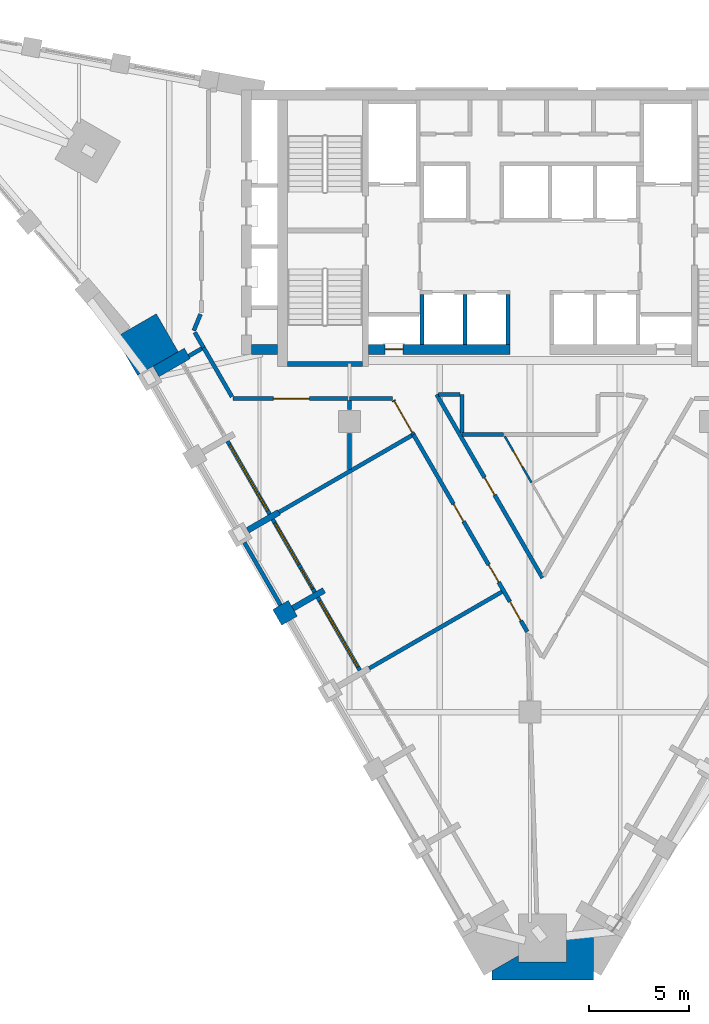
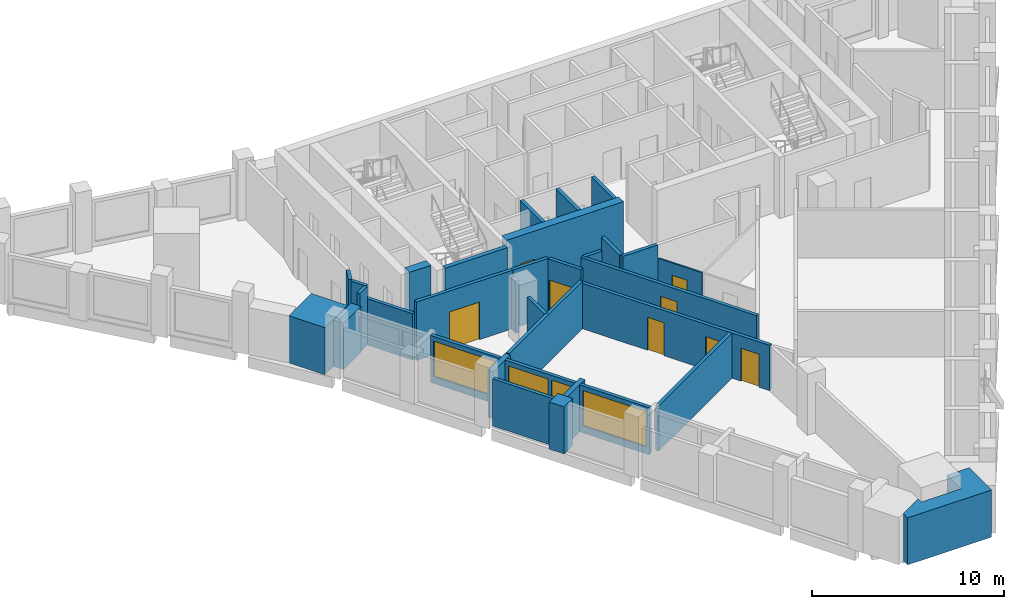
# One storey, part 3 of 9: 33 walls, 9 doors, 3 windows, 12 openings.
"""IFC4 building model written with IfcOpenShell, lengths in metres."""

from ifc_helpers import new_model, si_unit, direction, frame, frame_2d, origin, place, context, subcontext, project, spatial, polyline, rectangle, outline, extrude, material, layer, layer_set, type_object, element, fill, save


model = new_model("IFC4")

# Units and contexts
model_context = context("Model", 3, precision=1e-05, world=origin(), true_north=direction((0.0, 1.0)))
body_context = subcontext(model_context, "Body", "Model", "MODEL_VIEW")
ifc_project = project(units=[si_unit("LENGTHUNIT", "METRE"), si_unit("AREAUNIT", "SQUARE_METRE"), si_unit("VOLUMEUNIT", "CUBIC_METRE"), si_unit("PLANEANGLEUNIT", "RADIAN"), si_unit("MASSUNIT", "GRAM", prefix="KILO")], contexts=[model_context])

# Site, building, storey
site_placement = place(None, origin())
site = spatial("IfcSite", under=ifc_project, at=site_placement, CompositionType="ELEMENT")
building_placement = place(site_placement, origin())
building = spatial("IfcBuilding", under=site, at=building_placement, Name="Calabash Gate Tower", CompositionType="ELEMENT")
storey_placement = place(building_placement, frame((0.0, 0.0, 227.60009765625)))
storey = spatial("IfcBuildingStorey", under=building, at=storey_placement, Name="L54", CompositionType="ELEMENT", Elevation=227.60009765625)

# Walls
ifc_material_1 = material(Name="Terracotta brick masonry, exposed face", Category="masonry")
ifc_layer_1 = layer(ifc_material_1, 2.35009765625)
ifc_layer_set_1 = layer_set([ifc_layer_1], Name="Brick corner mass wall 2350")
wall_type_1 = type_object("IfcWallType", Name="Brick corner mass wall 2350", PredefinedType="SOLIDWALL", material=ifc_layer_set_1)
wall_1_placement = place(storey_placement, origin())
element("IfcWall", 1, at=wall_1_placement, inside=storey, type_object=wall_type_1, Name="Brick corner pier S15 1", PredefinedType="SOLIDWALL", context=body_context, shape_type="SweptSolid", body=[
    extrude(outline(polyline([(-19.588134765625, 4.81103515625), (-17.552978515625, 5.986083984375), (-18.6455078125, 7.878173828125), (-20.6806640625, 6.703125), (-19.588134765625, 4.81103515625)])), origin(), (0.0, 0.0, 1.0), 3.0),
])
wall_2_placement = place(storey_placement, origin())
element("IfcWall", 2, at=wall_2_placement, inside=storey, type_object=wall_type_1, Name="Brick corner pier S15 2b", PredefinedType="SOLIDWALL", context=body_context, shape_type="SweptSolid", body=[
    extrude(outline(polyline([(1.825927734375, -24.471923828125), (-0.573974609375, -24.471923828125), (-0.573974609375, -24.146240234375), (-1.906005859375, -24.915283203125), (-1.906005859375, -25.365234375), (3.157958984375, -25.365234375), (3.157958984375, -23.01513671875), (1.825927734375, -23.01513671875), (1.825927734375, -24.471923828125)])), origin(), (0.0, 0.0, 1.0), 3.0),
])
ifc_material_2 = material(Name="Terracotta brick masonry, exposed face", Category="masonry")
ifc_layer_2 = layer(ifc_material_2, 0.89990234375)
ifc_layer_set_2 = layer_set([ifc_layer_2], Name="Brick end wall 900")
wall_type_2 = type_object("IfcWallType", Name="Brick end wall 900", PredefinedType="SOLIDWALL", material=ifc_layer_set_2)
wall_3_placement = place(storey_placement, frame((-11.833740234375, -6.820068359375, 0.0), z_axis=(0.0, 0.0, 1.0), x_axis=(-0.866081705922, -0.499902469156, 0.0)))
element("IfcWall", 3, at=wall_3_placement, inside=storey, type_object=wall_type_2, Name="Brick pier S15 SW0.3", PredefinedType="SOLIDWALL", context=body_context, shape_type="SweptSolid", body=[
    extrude(rectangle(XDim=0.900146484375, YDim=0.89990234375, at=frame_2d((0.4501953125, 0.0))), origin(), (0.0, 0.0, 1.0), 3.0),
])
ifc_material_3 = material(Name="Terracotta brick masonry, exposed face", Category="masonry")
ifc_layer_3 = layer(ifc_material_3, 0.300048828125)
ifc_layer_set_3 = layer_set([ifc_layer_3], Name="Brick loggia cheek wall 300")
wall_type_3 = type_object("IfcWallType", Name="Brick loggia cheek wall 300", PredefinedType="SOLIDWALL", material=ifc_layer_set_3)
wall_4_placement = place(storey_placement, frame((-18.65869140625, 5.001220703125, 0.0), z_axis=(0.0, 0.0, 1.0), x_axis=(0.865989075817, 0.500062916607, 0.0)))
element("IfcWall", 4, at=wall_4_placement, inside=storey, type_object=wall_type_3, Name="Loggia cheek S15 SW0.0", PredefinedType="SOLIDWALL", context=body_context, shape_type="SweptSolid", body=[
    extrude(rectangle(XDim=1.800048828125, YDim=0.60009765625, at=frame_2d((0.89990234375, 0.0))), origin(), (0.0, 0.0, 1.0), 2.949951171875),
])
for number, where, z_axis, x_axis, name in (
    (5, (-14.083740234375, -2.9228515625, 0.0), (0.0, 0.0, 1.0), (0.866047807691, 0.499961193289, 0.0), "Loggia cheek S15 SW0.2"),
    (6, (-11.833740234375, -6.820068359375, 0.0), (0.0, 0.0, 1.0), (0.865989075817, 0.500062916607, 0.0), "Loggia cheek S15 SW0.3"),
):
    element("IfcWall", number, at=place(storey_placement, frame(where, z_axis=z_axis, x_axis=x_axis)), inside=storey, type_object=wall_type_3, Name=name, PredefinedType="SOLIDWALL", context=body_context, shape_type="SweptSolid", body=[
        extrude(rectangle(XDim=1.800048828125, YDim=0.300048828125, at=frame_2d((0.89990234375, 0.0))), origin(), (0.0, 0.0, 1.0), 3.0),
    ])
ifc_material_4 = material(Name="Concrete C70/85", Category="concrete")
ifc_layer_4 = layer(ifc_material_4, 0.25)
ifc_layer_set_4 = layer_set([ifc_layer_4], Name="Core wall 250 Concrete C70/85")
wall_type_4 = type_object("IfcWallType", Name="Core wall 250 Concrete C70/85", PredefinedType="SHEAR", material=ifc_layer_set_4)
wall_5_placement = place(storey_placement, frame((-12.10009765625, 5.377685546875, 0.0), z_axis=(0.0, 0.0, 1.0), x_axis=(1.0, 0.0, 0.0)))
element("IfcWall", 7, at=wall_5_placement, inside=storey, type_object=wall_type_4, Name="Core wall Z4-SSW L54", PredefinedType="SHEAR", context=body_context, shape_type="SweptSolid", body=[
    extrude(rectangle(XDim=3.75, YDim=0.25, at=frame_2d((1.875, 0.0))), origin(), (0.0, 0.0, 1.0), 3.89990234375),
])

# Wall, opening, door
ifc_material_5 = material(Name="Concrete C70/85", Category="concrete")
ifc_layer_5 = layer(ifc_material_5, 0.5)
ifc_layer_set_5 = layer_set([ifc_layer_5], Name="Core wall 500 Concrete C70/85")
wall_type_5 = type_object("IfcWallType", Name="Core wall 500 Concrete C70/85", PredefinedType="SHEAR", material=ifc_layer_set_5)
wall_6_placement = place(storey_placement, frame((-8.050048828125, 6.1025390625, 0.0), z_axis=(0.0, 0.0, 1.0), x_axis=(1.0, 0.0, 0.0)))
wall_6 = element("IfcWall", 8, at=wall_6_placement, inside=storey, type_object=wall_type_5, Name="Core wall Z4-SA L54", PredefinedType="SHEAR", context=body_context, shape_type="SweptSolid", body=[
    extrude(rectangle(XDim=7.050048828125, YDim=0.5, at=frame_2d((3.52490234375, 0.0))), origin(), (0.0, 0.0, 1.0), 3.89990234375),
])
opening_1_placement = place(wall_6_placement, frame((0.824951171875, 0.0, 0.0)))
opening_1 = element("IfcOpeningElement", 9, at=opening_1_placement, cuts=wall_6, Name="Opening O7-017", PredefinedType="OPENING", context=body_context, shape_type="SweptSolid", body=[
    extrude(rectangle(XDim=0.89990234375, YDim=2.10009765625, at=frame_2d((0.449951171875, 1.050048828125))), frame((0.0, 0.260009765625, 0.0), z_axis=(0.0, -1.0, 0.0), x_axis=(1.0, 0.0, 0.0)), (0.0, 0.0, 1.0), 0.52001953125),
])
ifc_material_6 = material(Name="Steel fire door set with fire-resisting glazing", Category="steel")
door_type_1 = type_object("IfcDoorType", Name="Fire door D07 900x2100 FD90", OperationType="NOTDEFINED", PredefinedType="DOOR", material=ifc_material_6)
door_1_placement = place(opening_1_placement, origin())
door_1 = element("IfcDoor", 10, at=door_1_placement, inside=storey, type_object=door_type_1, Name="Electrical Riser W door", OperationType="SINGLE_SWING_LEFT", OverallHeight=2.10009765625, OverallWidth=0.89990234375, PredefinedType="DOOR", context=body_context, shape_type="SweptSolid", body=[
    extrude(rectangle(XDim=0.89990234375, YDim=2.10009765625, at=frame_2d((0.449951171875, 1.050048828125))), frame((0.0, 0.02490234375, 0.0), z_axis=(0.0, -1.0, 0.0), x_axis=(1.0, 0.0, 0.0)), (0.0, 0.0, 1.0), 0.050048828125),
])
fill(opening_1, door_1)

# Wall
wall_7_placement = place(storey_placement, frame((-12.60009765625, 6.1025390625, 0.0), z_axis=(0.0, 0.0, 1.0), x_axis=(-1.0, 0.0, 0.0)))
element("IfcWall", 11, at=wall_7_placement, inside=storey, type_object=wall_type_5, Name="Core wall Z4-SW L54", PredefinedType="SHEAR", context=body_context, shape_type="SweptSolid", body=[
    extrude(rectangle(XDim=1.2998046875, YDim=0.5, at=frame_2d((0.64990234375, 0.0))), origin(), (0.0, 0.0, 1.0), 3.89990234375),
])

# Wall, opening, door
ifc_material_7 = material(Name="Gypsum board on steel studs, mineral wool", Category="steel")
ifc_layer_6 = layer(ifc_material_7, 0.10009765625)
ifc_layer_set_6 = layer_set([ifc_layer_6], Name="Partition 100 gypsum board")
wall_type_6 = type_object("IfcWallType", Name="Partition 100 gypsum board", PredefinedType="PARTITIONING", material=ifc_layer_set_6)
wall_8_placement = place(storey_placement, frame((-1.2578125, 1.765869140625, 0.0), z_axis=(0.0, 0.0, 1.0), x_axis=(0.50002892151, -0.866008705299, 0.0)))
wall_8 = element("IfcWall", 12, at=wall_8_placement, inside=storey, type_object=wall_type_6, Name="Partition", PredefinedType="PARTITIONING", context=body_context, shape_type="SweptSolid", body=[
    extrude(rectangle(XDim=2.666259765625, YDim=0.10009765625, at=frame_2d((1.3330078125, 0.0))), origin(), (0.0, 0.0, 1.0), 2.884033203125),
])
opening_2_placement = place(wall_8_placement, frame((0.857666015625, 0.0, 0.0)))
opening_2 = element("IfcOpeningElement", 13, at=opening_2_placement, cuts=wall_8, Name="Opening 52-54-014", PredefinedType="OPENING", context=body_context, shape_type="SweptSolid", body=[
    extrude(rectangle(XDim=0.89990234375, YDim=2.10009765625, at=frame_2d((0.449951171875, 1.050048828125))), frame((0.0, 0.06005859375, 0.0), z_axis=(0.0, -1.0, 0.0), x_axis=(1.0, 0.0, 0.0)), (0.0, 0.0, 1.0), 0.1201171875),
])
ifc_material_8 = material(Name="Painted timber door", Category="wood")
door_type_2 = type_object("IfcDoorType", Name="WD1 WC door 900x2100", OperationType="NOTDEFINED", PredefinedType="DOOR", material=ifc_material_8)
door_2_placement = place(opening_2_placement, origin())
door_2 = element("IfcDoor", 14, at=door_2_placement, inside=storey, type_object=door_type_2, Name="WC door", OperationType="SINGLE_SWING_LEFT", OverallHeight=2.10009765625, OverallWidth=0.89990234375, PredefinedType="DOOR", context=body_context, shape_type="SweptSolid", body=[
    extrude(rectangle(XDim=0.89990234375, YDim=2.10009765625, at=frame_2d((0.449951171875, 1.050048828125))), frame((0.0, 0.02490234375, 0.0), z_axis=(0.0, -1.0, 0.0), x_axis=(1.0, 0.0, 0.0)), (0.0, 0.0, 1.0), 0.050048828125),
])
fill(opening_2, door_2)

# Wall, openings, doors
ifc_material_9 = material(Name="Gypsum board on steel studs, mineral wool", Category="steel")
ifc_layer_7 = layer(ifc_material_9, 0.199951171875)
ifc_layer_set_7 = layer_set([ifc_layer_7], Name="Partition 200 gypsum board EI 60")
wall_type_7 = type_object("IfcWallType", Name="Partition 200 gypsum board EI 60", PredefinedType="PARTITIONING", material=ifc_layer_set_7)
wall_9_placement = place(storey_placement, frame((-5.81494140625, 1.85107421875, 0.0), z_axis=(0.0, 0.0, 1.0), x_axis=(0.499991042018, -0.866030575616, 0.0)))
wall_9 = element("IfcWall", 15, at=wall_9_placement, inside=storey, type_object=wall_type_7, Name="Partition", PredefinedType="PARTITIONING", context=body_context, shape_type="SweptSolid", body=[
    extrude(rectangle(XDim=11.356689453125, YDim=0.199951171875, at=frame_2d((5.67822265625, 0.0))), origin(), (0.0, 0.0, 1.0), 2.884033203125),
])
opening_3_placement = place(wall_9_placement, frame((4.0, 0.0, 0.0)))
opening_3 = element("IfcOpeningElement", 16, at=opening_3_placement, cuts=wall_9, Name="Opening 52-54-001", PredefinedType="OPENING", context=body_context, shape_type="SweptSolid", body=[
    extrude(rectangle(XDim=1.0, YDim=2.10009765625, at=frame_2d((0.5, 1.050048828125))), frame((0.0, 0.10986328125, 0.0), z_axis=(0.0, -1.0, 0.0), x_axis=(1.0, 0.0, 0.0)), (0.0, 0.0, 1.0), 0.219970703125),
])
opening_4_placement = place(wall_9_placement, frame((7.50146484375, 0.0, 0.0)))
opening_4 = element("IfcOpeningElement", 17, at=opening_4_placement, cuts=wall_9, Name="Opening 52-54-002", PredefinedType="OPENING", context=body_context, shape_type="SweptSolid", body=[
    extrude(rectangle(XDim=1.0, YDim=2.10009765625, at=frame_2d((0.5, 1.050048828125))), frame((0.0, 0.10986328125, 0.0), z_axis=(0.0, -1.0, 0.0), x_axis=(1.0, 0.0, 0.0)), (0.0, 0.0, 1.0), 0.219970703125),
])
opening_5_placement = place(wall_9_placement, frame((9.627197265625, 0.0, 0.0)))
opening_5 = element("IfcOpeningElement", 18, at=opening_5_placement, cuts=wall_9, Name="Opening 52-54-012", PredefinedType="OPENING", context=body_context, shape_type="SweptSolid", body=[
    extrude(rectangle(XDim=1.10009765625, YDim=2.10009765625, at=frame_2d((0.550048828125, 1.050048828125))), frame((0.0, 0.10986328125, 0.0), z_axis=(0.0, -1.0, 0.0), x_axis=(1.0, 0.0, 0.0)), (0.0, 0.0, 1.0), 0.219970703125),
])
ifc_material_10 = material(Name="Steel fire door set with fire-resisting glazing", Category="steel")
door_type_3 = type_object("IfcDoorType", Name="GD3 Suite entrance door 1100x2100", OperationType="NOTDEFINED", PredefinedType="DOOR", material=ifc_material_10)
door_3_placement = place(opening_5_placement, origin())
door_3 = element("IfcDoor", 19, at=door_3_placement, inside=storey, type_object=door_type_3, Name="Suite entrance door", OperationType="SINGLE_SWING_LEFT", OverallHeight=2.10009765625, OverallWidth=1.10009765625, PredefinedType="DOOR", context=body_context, shape_type="SweptSolid", body=[
    extrude(rectangle(XDim=1.10009765625, YDim=2.10009765625, at=frame_2d((0.550048828125, 1.050048828125))), frame((0.0, 0.02490234375, 0.0), z_axis=(0.0, -1.0, 0.0), x_axis=(1.0, 0.0, 0.0)), (0.0, 0.0, 1.0), 0.050048828125),
])
fill(opening_5, door_3)
ifc_material_11 = material(Name="Steel fire door set with fire-resisting glazing", Category="steel")
door_type_4 = type_object("IfcDoorType", Name="LD2 Meeting room door 1000x2100", OperationType="NOTDEFINED", PredefinedType="DOOR", material=ifc_material_11)
door_4_placement = place(opening_3_placement, origin())
door_4 = element("IfcDoor", 20, at=door_4_placement, inside=storey, type_object=door_type_4, Name="Meeting room door", OperationType="SINGLE_SWING_LEFT", OverallHeight=2.10009765625, OverallWidth=1.0, PredefinedType="DOOR", context=body_context, shape_type="SweptSolid", body=[
    extrude(rectangle(XDim=1.0, YDim=2.10009765625, at=frame_2d((0.5, 1.050048828125))), frame((0.0, 0.02490234375, 0.0), z_axis=(0.0, -1.0, 0.0), x_axis=(1.0, 0.0, 0.0)), (0.0, 0.0, 1.0), 0.050048828125),
])
fill(opening_3, door_4)
door_5_placement = place(opening_4_placement, origin())
door_5 = element("IfcDoor", 21, at=door_5_placement, inside=storey, type_object=door_type_4, Name="Meeting room door", OperationType="SINGLE_SWING_RIGHT", OverallHeight=2.10009765625, OverallWidth=1.0, PredefinedType="DOOR", context=body_context, shape_type="SweptSolid", body=[
    extrude(rectangle(XDim=1.0, YDim=2.10009765625, at=frame_2d((0.5, 1.050048828125))), frame((0.0, 0.02490234375, 0.0), z_axis=(0.0, -1.0, 0.0), x_axis=(1.0, 0.0, 0.0)), (0.0, 0.0, 1.0), 0.050048828125),
])
fill(opening_4, door_5)

# Walls
wall_10_placement = place(storey_placement, frame((-8.024658203125, -9.8173828125, 0.0), z_axis=(0.0, 0.0, 1.0), x_axis=(0.866115970796, 0.499843100514, 0.0)))
element("IfcWall", 22, at=wall_10_placement, inside=storey, type_object=wall_type_7, Name="Partition", PredefinedType="PARTITIONING", context=body_context, shape_type="SweptSolid", body=[
    extrude(rectangle(XDim=7.6494140625, YDim=0.199951171875, at=frame_2d((3.82470703125, 0.0))), origin(), (0.0, 0.0, 1.0), 2.884033203125),
])
wall_11_placement = place(storey_placement, frame((-12.525146484375, -2.0224609375, 0.0), z_axis=(0.0, 0.0, 1.0), x_axis=(0.865836806481, 0.500326517929, 0.0)))
element("IfcWall", 23, at=wall_11_placement, inside=storey, type_object=wall_type_7, Name="Partition", PredefinedType="PARTITIONING", context=body_context, shape_type="SweptSolid", body=[
    extrude(rectangle(XDim=7.6494140625, YDim=0.199951171875, at=frame_2d((3.82470703125, 0.0))), origin(), (0.0, 0.0, 1.0), 3.0517578125),
])

# Wall, opening, door
wall_12_placement = place(storey_placement, frame((-6.802978515625, 3.5654296875, 0.0), z_axis=(0.0, 0.0, 1.0), x_axis=(0.49997529981, -0.866039663976, 0.0)))
wall_12 = element("IfcWall", 24, at=wall_12_placement, inside=storey, type_object=wall_type_7, Name="Partition", PredefinedType="PARTITIONING", context=body_context, shape_type="SweptSolid", body=[
    extrude(rectangle(XDim=1.97802734375, YDim=0.199951171875, at=frame_2d((0.989013671875, 0.0))), origin(), (0.0, 0.0, 1.0), 3.72998046875),
])
opening_6_placement = place(wall_12_placement, frame((0.05810546875, 0.0, 0.0)))
opening_6 = element("IfcOpeningElement", 25, at=opening_6_placement, cuts=wall_12, Name="Opening 52-54-008", PredefinedType="OPENING", context=body_context, shape_type="SweptSolid", body=[
    extrude(rectangle(XDim=1.800048828125, YDim=2.39990234375, at=frame_2d((0.89990234375, 1.199951171875))), frame((0.0, 0.10986328125, 0.0), z_axis=(0.0, -1.0, 0.0), x_axis=(1.0, 0.0, 0.0)), (0.0, 0.0, 1.0), 0.219970703125),
])
ifc_material_12 = material(Name="Steel fire door set with fire-resisting glazing", Category="steel")
door_type_5 = type_object("IfcDoorType", Name="TD1 Tenancy entrance double door 1800x2400", OperationType="NOTDEFINED", PredefinedType="DOOR", material=ifc_material_12)
door_6_placement = place(opening_6_placement, origin())
door_6 = element("IfcDoor", 26, at=door_6_placement, inside=storey, type_object=door_type_5, Name="Tenancy entrance double door", OperationType="DOUBLE_DOOR_SINGLE_SWING", OverallHeight=2.39990234375, OverallWidth=1.800048828125, PredefinedType="DOOR", context=body_context, shape_type="SweptSolid", body=[
    extrude(rectangle(XDim=1.800048828125, YDim=2.39990234375, at=frame_2d((0.89990234375, 1.199951171875))), frame((0.0, 0.02490234375, 0.0), z_axis=(0.0, -1.0, 0.0), x_axis=(1.0, 0.0, 0.0)), (0.0, 0.0, 1.0), 0.050048828125),
])
fill(opening_6, door_6)

# Walls
wall_13_placement = place(storey_placement, frame((-3.400146484375, 1.852294921875, 0.0), z_axis=(0.0, 0.0, 1.0), x_axis=(0.999999666027, -0.000817279353, 0.0)))
element("IfcWall", 27, at=wall_13_placement, inside=storey, type_object=wall_type_7, Name="Partition", PredefinedType="PARTITIONING", context=body_context, shape_type="SweptSolid", body=[
    extrude(rectangle(XDim=2.091064453125, YDim=0.199951171875, at=frame_2d((1.04541015625, 0.0))), origin(), (0.0, 0.0, 1.0), 3.72998046875),
])
wall_14_placement = place(storey_placement, frame((-8.999755859375, 1.89990234375, 0.0), z_axis=(0.0, 0.0, 1.0), x_axis=(0.000957853967, -0.999999541258, 0.0)))
element("IfcWall", 28, at=wall_14_placement, inside=storey, type_object=wall_type_7, Name="Partition", PredefinedType="PARTITIONING", context=body_context, shape_type="SweptSolid", body=[
    extrude(rectangle(XDim=1.7841796875, YDim=0.199951171875, at=frame_2d((0.89208984375, 0.0))), origin(), (0.0, 0.0, 1.0), 3.0517578125),
])
wall_15_placement = place(storey_placement, frame((-3.400146484375, 3.852294921875, 0.0), z_axis=(0.0, 0.0, 1.0), x_axis=(0.0, -1.0, 0.0)))
element("IfcWall", 29, at=wall_15_placement, inside=storey, type_object=wall_type_7, Name="Partition", PredefinedType="PARTITIONING", context=body_context, shape_type="SweptSolid", body=[
    extrude(rectangle(XDim=1.89990234375, YDim=0.199951171875, at=frame_2d((0.949951171875, 0.0))), origin(), (0.0, 0.0, 1.0), 3.72998046875),
])
wall_16_placement = place(storey_placement, frame((-8.999755859375, 3.10009765625, 0.0), z_axis=(0.0, 0.0, 1.0), x_axis=(0.003241474056, 0.999994746409, 0.0)))
element("IfcWall", 30, at=wall_16_placement, inside=storey, type_object=wall_type_7, Name="Partition", PredefinedType="PARTITIONING", context=body_context, shape_type="SweptSolid", body=[
    extrude(rectangle(XDim=0.451904296875, YDim=0.199951171875, at=frame_2d((0.22607421875, 0.0))), origin(), (0.0, 0.0, 1.0), 3.33154296875),
])

# Wall, opening, door
wall_17_placement = place(storey_placement, frame((-14.820556640625, 3.65234375, 0.0), z_axis=(0.0, 0.0, 1.0), x_axis=(0.999999956896, -0.000293611832, 0.0)))
wall_17 = element("IfcWall", 31, at=wall_17_placement, inside=storey, type_object=wall_type_7, Name="Partition", PredefinedType="PARTITIONING", context=body_context, shape_type="SweptSolid", body=[
    extrude(rectangle(XDim=5.820556640625, YDim=0.199951171875, at=frame_2d((2.91015625, 0.0))), origin(), (0.0, 0.0, 1.0), 3.72998046875),
])
opening_7_placement = place(wall_17_placement, frame((2.010498046875, 0.0, 0.0)))
opening_7 = element("IfcOpeningElement", 32, at=opening_7_placement, cuts=wall_17, Name="Opening 52-54-007", PredefinedType="OPENING", context=body_context, shape_type="SweptSolid", body=[
    extrude(rectangle(XDim=1.800048828125, YDim=2.39990234375, at=frame_2d((0.89990234375, 1.199951171875))), frame((0.0, 0.10986328125, 0.0), z_axis=(0.0, -1.0, 0.0), x_axis=(1.0, 0.0, 0.0)), (0.0, 0.0, 1.0), 0.219970703125),
])
door_7_placement = place(opening_7_placement, origin())
door_7 = element("IfcDoor", 33, at=door_7_placement, inside=storey, type_object=door_type_5, Name="Tenancy entrance double door", OperationType="DOUBLE_DOOR_SINGLE_SWING", OverallHeight=2.39990234375, OverallWidth=1.800048828125, PredefinedType="DOOR", context=body_context, shape_type="SweptSolid", body=[
    extrude(rectangle(XDim=1.800048828125, YDim=2.39990234375, at=frame_2d((0.89990234375, 1.199951171875))), frame((0.0, 0.02490234375, 0.0), z_axis=(0.0, -1.0, 0.0), x_axis=(1.0, 0.0, 0.0)), (0.0, 0.0, 1.0), 0.050048828125),
])
fill(opening_7, door_7)

# Walls
wall_18_placement = place(storey_placement, frame((-8.999755859375, 3.650634765625, 0.0), z_axis=(0.0, 0.0, 1.0), x_axis=(0.999999767192, 0.00068236081, 0.0)))
element("IfcWall", 34, at=wall_18_placement, inside=storey, type_object=wall_type_7, Name="Partition", PredefinedType="PARTITIONING", context=body_context, shape_type="SweptSolid", body=[
    extrude(rectangle(XDim=2.146728515625, YDim=0.199951171875, at=frame_2d((1.0732421875, 0.0))), origin(), (0.0, 0.0, 1.0), 3.72998046875),
])
wall_19_placement = place(storey_placement, frame((-16.29052734375, 6.1953125, 0.0), z_axis=(0.0, 0.0, 1.0), x_axis=(0.500432411893, -0.865775606683, 0.0)))
element("IfcWall", 35, at=wall_19_placement, inside=storey, type_object=wall_type_7, Name="Partition", PredefinedType="PARTITIONING", context=body_context, shape_type="SweptSolid", body=[
    extrude(rectangle(XDim=2.83740234375, YDim=0.199951171875, at=frame_2d((1.418701171875, 0.0))), origin(), (0.0, 0.0, 1.0), 2.949951171875),
])

# Wall, opening, door
wall_20_placement = place(storey_placement, frame((-4.658447265625, 3.852294921875, 0.0), z_axis=(0.0, 0.0, 1.0), x_axis=(0.500012400782, -0.866018244071, 0.0)))
wall_20 = element("IfcWall", 36, at=wall_20_placement, inside=storey, type_object=wall_type_7, Name="Partition", PredefinedType="PARTITIONING", context=body_context, shape_type="SweptSolid", body=[
    extrude(rectangle(XDim=10.568603515625, YDim=0.199951171875, at=frame_2d((5.2841796875, 0.0))), origin(), (0.0, 0.0, 1.0), 2.884033203125),
])
opening_8_placement = place(wall_20_placement, frame((4.7841796875, 0.0, 0.0)))
opening_8 = element("IfcOpeningElement", 37, at=opening_8_placement, cuts=wall_20, Name="Opening 52-54-013", PredefinedType="OPENING", context=body_context, shape_type="SweptSolid", body=[
    extrude(rectangle(XDim=1.0, YDim=2.10009765625, at=frame_2d((0.5, 1.050048828125))), frame((0.0, 0.10986328125, 0.0), z_axis=(0.0, -1.0, 0.0), x_axis=(1.0, 0.0, 0.0)), (0.0, 0.0, 1.0), 0.219970703125),
])
ifc_material_13 = material(Name="Steel fire door set with fire-resisting glazing", Category="steel")
door_type_6 = type_object("IfcDoorType", Name="WD3 WC lobby door 1000x2100", OperationType="NOTDEFINED", PredefinedType="DOOR", material=ifc_material_13)
door_8_placement = place(opening_8_placement, origin())
door_8 = element("IfcDoor", 38, at=door_8_placement, inside=storey, type_object=door_type_6, Name="WC lobby door", OperationType="SINGLE_SWING_LEFT", OverallHeight=2.10009765625, OverallWidth=1.0, PredefinedType="DOOR", context=body_context, shape_type="SweptSolid", body=[
    extrude(rectangle(XDim=1.0, YDim=2.10009765625, at=frame_2d((0.5, 1.050048828125))), frame((0.0, 0.02490234375, 0.0), z_axis=(0.0, -1.0, 0.0), x_axis=(1.0, 0.0, 0.0)), (0.0, 0.0, 1.0), 0.050048828125),
])
fill(opening_8, door_8)

# Walls
wall_21_placement = place(storey_placement, frame((-4.558349609375, 3.852294921875, 0.0), z_axis=(0.0, 0.0, 1.0), x_axis=(1.0, 0.0, 0.0)))
element("IfcWall", 39, at=wall_21_placement, inside=storey, type_object=wall_type_7, Name="Partition", PredefinedType="PARTITIONING", context=body_context, shape_type="SweptSolid", body=[
    extrude(rectangle(XDim=1.05810546875, YDim=0.199951171875, at=frame_2d((0.529052734375, 0.0))), origin(), (0.0, 0.0, 1.0), 2.884033203125),
])
wall_22_placement = place(storey_placement, frame((-17.02490234375, 5.771240234375, 0.0), z_axis=(0.0, 0.0, 1.0), x_axis=(0.86713847007, 0.498067137768, 0.0)))
element("IfcWall", 40, at=wall_22_placement, inside=storey, type_object=wall_type_7, Name="Partition", PredefinedType="PARTITIONING", context=body_context, shape_type="SweptSolid", body=[
    extrude(rectangle(XDim=0.74951171875, YDim=0.199951171875, at=frame_2d((0.374755859375, 0.0))), origin(), (0.0, 0.0, 1.0), 3.72998046875),
])
wall_23_placement = place(storey_placement, frame((-16.7265625, 6.953125, 0.0), z_axis=(0.0, 0.0, 1.0), x_axis=(0.498722930898, -0.86676146557, 0.0)))
element("IfcWall", 41, at=wall_23_placement, inside=storey, type_object=wall_type_7, Name="Partition", PredefinedType="PARTITIONING", context=body_context, shape_type="SweptSolid", body=[
    extrude(rectangle(XDim=0.874267578125, YDim=0.199951171875, at=frame_2d((0.43701171875, 0.0))), origin(), (0.0, 0.0, 1.0), 3.72998046875),
])
wall_24_placement = place(storey_placement, frame((-16.7763671875, 7.039794921875, 0.0), z_axis=(0.0, 0.0, 1.0), x_axis=(0.380625221286, 0.924729387941, 0.0)))
element("IfcWall", 42, at=wall_24_placement, inside=storey, type_object=wall_type_7, Name="Partition", PredefinedType="PARTITIONING", context=body_context, shape_type="SweptSolid", body=[
    extrude(rectangle(XDim=0.886962890625, YDim=0.199951171875, at=frame_2d((0.443359375, 0.0))), origin(), (0.0, 0.0, 1.0), 3.72998046875),
])
ifc_material_14 = material(Name="Concrete C40/50", Category="concrete")
ifc_layer_8 = layer(ifc_material_14, 0.199951171875)
ifc_layer_set_8 = layer_set([ifc_layer_8], Name="Shaft wall 200 Concrete C40/50")
wall_type_8 = type_object("IfcWallType", Name="Shaft wall 200 Concrete C40/50", PredefinedType="SOLIDWALL", material=ifc_layer_set_8)
for number, where, z_axis, x_axis, name in (
    (43, (-5.39990234375, 6.3525390625, 0.0), (0.0, 0.0, 1.0), (0.0, 1.0, 0.0), "Shaft wall"),
    (44, (-3.25, 6.3525390625, 0.0), (0.0, 0.0, 1.0), (0.0, 1.0, 0.0), "Shaft wall"),
    (45, (-1.10009765625, 6.3525390625, 0.0), (0.0, 0.0, 1.0), (0.0, 1.0, 0.0), "Shaft wall"),
):
    element("IfcWall", number, at=place(storey_placement, frame(where, z_axis=z_axis, x_axis=x_axis)), inside=storey, type_object=wall_type_8, Name=name, PredefinedType="SOLIDWALL", context=body_context, shape_type="SweptSolid", body=[
        extrude(rectangle(XDim=2.5, YDim=0.199951171875, at=frame_2d((1.25, 0.0))), origin(), (0.0, 0.0, 1.0), 3.72998046875),
    ])
ifc_material_15 = material(Name="Terracotta brick masonry, perforated", Category="masonry")
ifc_layer_9 = layer(ifc_material_15, 0.199951171875)
ifc_layer_set_9 = layer_set([ifc_layer_9], Name="Terracotta jaali screen A")
wall_type_9 = type_object("IfcWallType", Name="Terracotta jaali screen A", PredefinedType="SOLIDWALL", material=ifc_layer_set_9)
wall_25_placement = place(storey_placement, frame((-14.24853515625, -3.53759765625, 0.0), z_axis=(0.0, 0.0, 1.0), x_axis=(0.500012057535, -0.866018442252, 0.0)))
element("IfcWall", 46, at=wall_25_placement, inside=storey, type_object=wall_type_9, Name="SCREEN A S15 SW0.3", PredefinedType="SOLIDWALL", context=body_context, shape_type="SweptSolid", body=[
    extrude(rectangle(XDim=3.60009765625, YDim=0.199951171875, at=frame_2d((1.800048828125, 0.0))), origin(), (0.0, 0.0, 1.0), 3.0),
])

# Wall, opening, window
ifc_material_16 = material(Name="Aluminium framed window wall with insulated spandrel", Category="aluminium")
ifc_layer_10 = layer(ifc_material_16, 0.199951171875)
ifc_layer_set_10 = layer_set([ifc_layer_10], Name="Window wall 200")
wall_type_10 = type_object("IfcWallType", Name="Window wall 200", PredefinedType="ELEMENTEDWALL", material=ifc_layer_set_10)
wall_26_placement = place(storey_placement, frame((-15.089599609375, 1.519287109375, 0.0), z_axis=(0.0, 0.0, 1.0), x_axis=(0.49998411664, -0.866034573852, 0.0)))
wall_26 = element("IfcWall", 47, at=wall_26_placement, inside=storey, type_object=wall_type_10, Name="Window wall S15 SW0.2", PredefinedType="ELEMENTEDWALL", context=body_context, shape_type="SweptSolid", body=[
    extrude(rectangle(XDim=4.199951171875, YDim=0.199951171875, at=frame_2d((2.10009765625, 0.0))), origin(), (0.0, 0.0, 1.0), 3.0),
])
opening_9_placement = place(wall_26_placement, frame((0.199951171875, 0.0, 0.449951171875)))
opening_9 = element("IfcOpeningElement", 48, at=opening_9_placement, cuts=wall_26, Name="Opening OW2", PredefinedType="OPENING", context=body_context, shape_type="SweptSolid", body=[
    extrude(rectangle(XDim=3.800048828125, YDim=2.25, at=frame_2d((1.89990234375, 1.125))), frame((0.0, 0.10986328125, 0.0), z_axis=(0.0, -1.0, 0.0), x_axis=(1.0, 0.0, 0.0)), (0.0, 0.0, 1.0), 0.219970703125),
])
ifc_material_17 = material(Name="Anodised aluminium frame, bronze finish, impact-rated laminated clear glazing", Category="aluminium")
window_type_1 = type_object("IfcWindowType", Name="Window OW2 3800x2250", PartitioningType="TRIPLE_PANEL_VERTICAL", PredefinedType="WINDOW", material=ifc_material_17)
window_1_placement = place(opening_9_placement, origin())
window_1 = element("IfcWindow", 49, at=window_1_placement, inside=storey, type_object=window_type_1, Name="Window OW2 S15 SW0.2", OverallHeight=2.25, OverallWidth=3.800048828125, PartitioningType="SINGLE_PANEL", PredefinedType="WINDOW", context=body_context, shape_type="SweptSolid", body=[
    extrude(rectangle(XDim=3.800048828125, YDim=2.25, at=frame_2d((1.89990234375, 1.125))), frame((0.0, 0.030029296875, 0.0), z_axis=(0.0, -1.0, 0.0), x_axis=(1.0, 0.0, 0.0)), (0.0, 0.0, 1.0), 0.06005859375),
])
fill(opening_9, window_1)

# Wall, openings, door, window
wall_27_placement = place(storey_placement, frame((-12.839599609375, -2.377685546875, 0.0), z_axis=(0.0, 0.0, 1.0), x_axis=(0.499958946799, -0.866049104564, 0.0)))
wall_27 = element("IfcWall", 50, at=wall_27_placement, inside=storey, type_object=wall_type_10, Name="Window wall S15 SW0.3", PredefinedType="ELEMENTEDWALL", context=body_context, shape_type="SweptSolid", body=[
    extrude(rectangle(XDim=4.199951171875, YDim=0.199951171875, at=frame_2d((2.10009765625, 0.0))), origin(), (0.0, 0.0, 1.0), 3.0),
])
opening_10_placement = place(wall_27_placement, frame((0.199951171875, 0.0, 0.449951171875)))
opening_10 = element("IfcOpeningElement", 51, at=opening_10_placement, cuts=wall_27, Name="Opening OW1", PredefinedType="OPENING", context=body_context, shape_type="SweptSolid", body=[
    extrude(rectangle(XDim=2.39990234375, YDim=2.25, at=frame_2d((1.199951171875, 1.125))), frame((0.0, 0.10986328125, 0.0), z_axis=(0.0, -1.0, 0.0), x_axis=(1.0, 0.0, 0.0)), (0.0, 0.0, 1.0), 0.219970703125),
])
opening_11_placement = place(wall_27_placement, frame((2.800048828125, 0.0, 0.0)))
opening_11 = element("IfcOpeningElement", 52, at=opening_11_placement, cuts=wall_27, Name="Opening O7-026", PredefinedType="OPENING", context=body_context, shape_type="SweptSolid", body=[
    extrude(rectangle(XDim=1.199951171875, YDim=2.699951171875, at=frame_2d((0.60009765625, 1.35009765625))), frame((0.0, 0.10986328125, 0.0), z_axis=(0.0, -1.0, 0.0), x_axis=(1.0, 0.0, 0.0)), (0.0, 0.0, 1.0), 0.219970703125),
])
ifc_material_18 = material(Name="Anodised aluminium frame, bronze finish, impact-rated laminated clear glazing", Category="aluminium")
door_type_7 = type_object("IfcDoorType", Name="Loggia door DO1 1200x2700", OperationType="SLIDING_TO_LEFT", PredefinedType="DOOR", material=ifc_material_18)
door_9_placement = place(opening_11_placement, origin())
door_9 = element("IfcDoor", 53, at=door_9_placement, inside=storey, type_object=door_type_7, Name="Loggia door S15 SW0.3", OperationType="SINGLE_SWING_LEFT", OverallHeight=2.699951171875, OverallWidth=1.199951171875, PredefinedType="DOOR", context=body_context, shape_type="SweptSolid", body=[
    extrude(rectangle(XDim=1.199951171875, YDim=2.699951171875, at=frame_2d((0.60009765625, 1.35009765625))), frame((0.0, 0.02490234375, 0.0), z_axis=(0.0, -1.0, 0.0), x_axis=(1.0, 0.0, 0.0)), (0.0, 0.0, 1.0), 0.050048828125),
])
fill(opening_11, door_9)
ifc_material_19 = material(Name="Anodised aluminium frame, bronze finish, impact-rated laminated clear glazing", Category="aluminium")
window_type_2 = type_object("IfcWindowType", Name="Window OW1 2400x2250", PartitioningType="DOUBLE_PANEL_VERTICAL", PredefinedType="WINDOW", material=ifc_material_19)
window_2_placement = place(opening_10_placement, origin())
window_2 = element("IfcWindow", 54, at=window_2_placement, inside=storey, type_object=window_type_2, Name="Window OW1 S15 SW0.3", OverallHeight=2.25, OverallWidth=2.39990234375, PartitioningType="SINGLE_PANEL", PredefinedType="WINDOW", context=body_context, shape_type="SweptSolid", body=[
    extrude(rectangle(XDim=2.39990234375, YDim=2.25, at=frame_2d((1.199951171875, 1.125))), frame((0.0, 0.030029296875, 0.0), z_axis=(0.0, -1.0, 0.0), x_axis=(1.0, 0.0, 0.0)), (0.0, 0.0, 1.0), 0.06005859375),
])
fill(opening_10, window_2)

# Wall, opening, window
wall_28_placement = place(storey_placement, frame((-10.589599609375, -6.27490234375, 0.0), z_axis=(0.0, 0.0, 1.0), x_axis=(0.49998411664, -0.866034573852, 0.0)))
wall_28 = element("IfcWall", 55, at=wall_28_placement, inside=storey, type_object=wall_type_10, Name="Window wall S15 SW0.4", PredefinedType="ELEMENTEDWALL", context=body_context, shape_type="SweptSolid", body=[
    extrude(rectangle(XDim=4.199951171875, YDim=0.199951171875, at=frame_2d((2.10009765625, 0.0))), origin(), (0.0, 0.0, 1.0), 3.0),
])
opening_12_placement = place(wall_28_placement, frame((0.199951171875, 0.0, 0.449951171875)))
opening_12 = element("IfcOpeningElement", 56, at=opening_12_placement, cuts=wall_28, Name="Opening OW2", PredefinedType="OPENING", context=body_context, shape_type="SweptSolid", body=[
    extrude(rectangle(XDim=3.800048828125, YDim=2.25, at=frame_2d((1.89990234375, 1.125))), frame((0.0, 0.10986328125, 0.0), z_axis=(0.0, -1.0, 0.0), x_axis=(1.0, 0.0, 0.0)), (0.0, 0.0, 1.0), 0.219970703125),
])
window_3_placement = place(opening_12_placement, origin())
window_3 = element("IfcWindow", 57, at=window_3_placement, inside=storey, type_object=window_type_1, Name="Window OW2 S15 SW0.4", OverallHeight=2.25, OverallWidth=3.800048828125, PartitioningType="SINGLE_PANEL", PredefinedType="WINDOW", context=body_context, shape_type="SweptSolid", body=[
    extrude(rectangle(XDim=3.800048828125, YDim=2.25, at=frame_2d((1.89990234375, 1.125))), frame((0.0, 0.030029296875, 0.0), z_axis=(0.0, -1.0, 0.0), x_axis=(1.0, 0.0, 0.0)), (0.0, 0.0, 1.0), 0.06005859375),
])
fill(opening_12, window_3)

save(model, "model.ifc")
